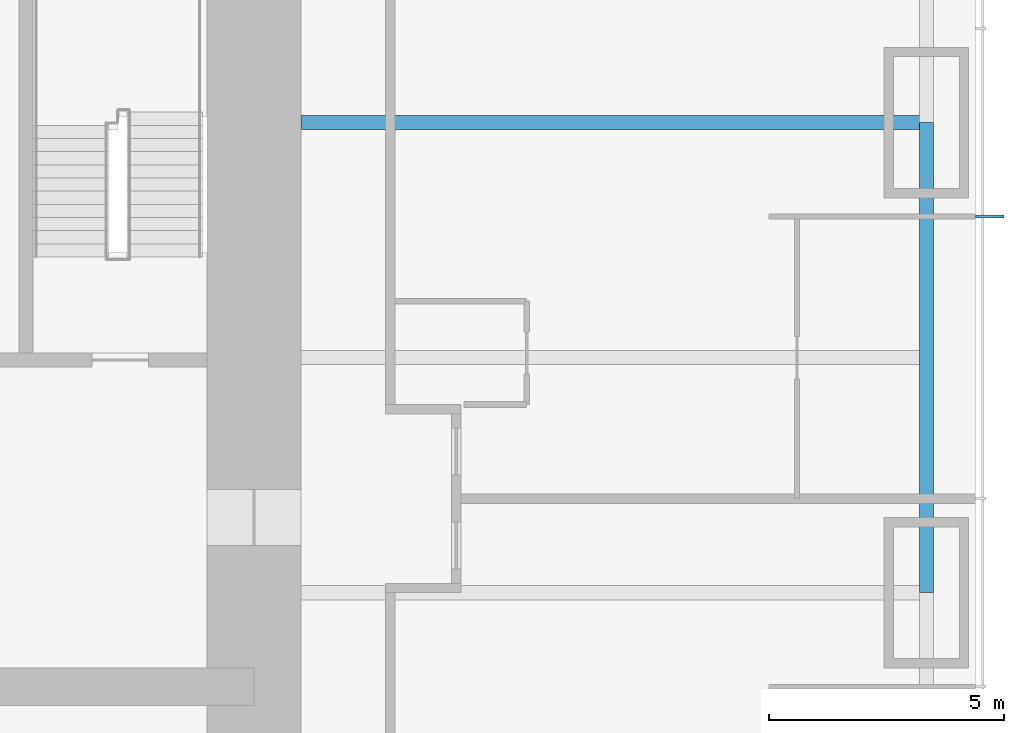
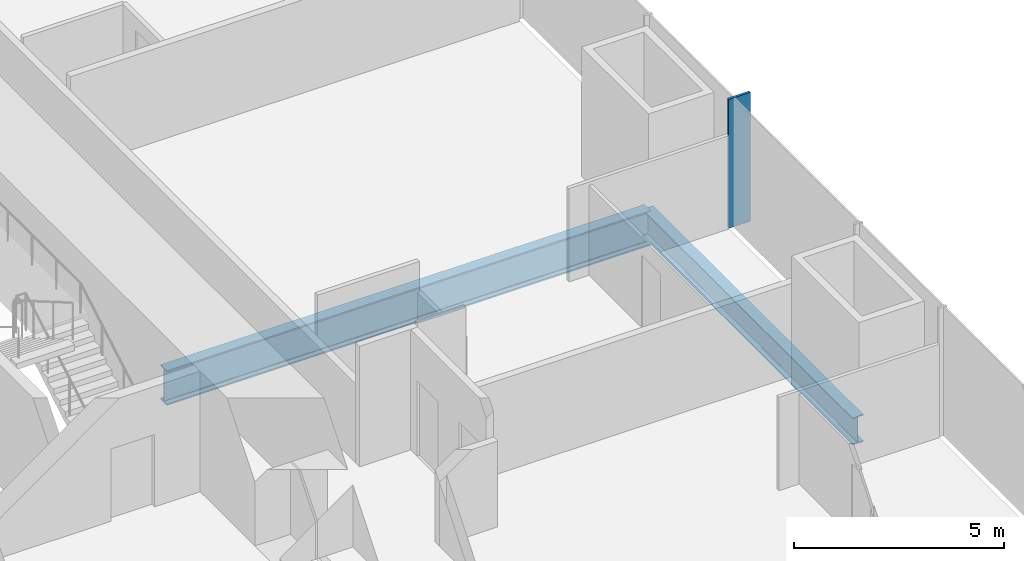
# One storey, part 5 of 17: 2 beams, 1 member, 1 element without a shape of its own.
"""IFC4 building model written with IfcOpenShell, lengths in metres."""

from ifc_helpers import new_model, si_unit, direction, frame, origin, origin_2d, place, context, subcontext, project, spatial, rectangle, i_section, extrude, material, material_profile, profile_set, type_object, element, aggregate, save


model = new_model("IFC4")

# Units and contexts
model_context = context("Model", 3, precision=1e-05, world=origin(), true_north=direction((0.0, 1.0)))
body_context = subcontext(model_context, "Body", "Model", "MODEL_VIEW")
ifc_project = project(units=[si_unit("LENGTHUNIT", "METRE"), si_unit("AREAUNIT", "SQUARE_METRE"), si_unit("VOLUMEUNIT", "CUBIC_METRE"), si_unit("PLANEANGLEUNIT", "RADIAN"), si_unit("MASSUNIT", "GRAM", prefix="KILO")], contexts=[model_context])

# Site, building, storey
site_placement = place(None, origin())
site = spatial("IfcSite", under=ifc_project, at=site_placement, CompositionType="ELEMENT")
building_placement = place(site_placement, origin())
building = spatial("IfcBuilding", under=site, at=building_placement, Name="Khuree Lantern Residences", CompositionType="ELEMENT")
storey_placement = place(building_placement, frame((0.0, 0.0, 88.5)))
storey = spatial("IfcBuildingStorey", under=building, at=storey_placement, Name="L22", CompositionType="ELEMENT", Elevation=88.5)

# Beam
ifc_material_1 = material(Name="Steel S355", Category="steel")
ifc_material_profile_1 = material_profile(ifc_material_1, i_section(OverallWidth=0.300048828125, OverallDepth=0.7900390625, WebThickness=0.014892578125, FlangeThickness=0.028076171875, FilletRadius=0.030029296875, at=origin_2d()), Name="HE 800 A")
ifc_profile_set_1 = profile_set([ifc_material_profile_1], Name="Steel S355")
beam_type_1 = type_object("IfcBeamType", Name="E-15 SPANDREL BEAM HE 800 A", PredefinedType="SPANDREL", material=ifc_profile_set_1)
beam_1_placement = place(storey_placement, frame((29.800048828125, 0.0, -0.64501953125), z_axis=(0.0, -1.0, 0.0), x_axis=(1.0, 0.0, 0.0)))
element("IfcBeam", 1, at=beam_1_placement, inside=storey, type_object=beam_type_1, Name="Spandrel beam E4", PredefinedType="SPANDREL", context=body_context, shape_type="SweptSolid", body=[
    extrude(i_section(OverallWidth=0.300048828125, OverallDepth=0.7900390625, WebThickness=0.014892578125, FlangeThickness=0.028076171875, FilletRadius=0.030029296875, at=origin_2d()), origin(), (0.0, 0.0, 1.0), 10.0),
])

# Curtain wall, member
ifc_material_2 = material(Name="Bronze anodised aluminium", Category="aluminium")
curtain_wall_type = type_object("IfcCurtainWallType", Name="CW-T1 TOWER FACE CURTAIN WALL", PredefinedType="USERDEFINED", material=ifc_material_2)
curtain_wall_placement = place(storey_placement, origin())
curtain_wall = element("IfcCurtainWall", 2, at=curtain_wall_placement, inside=storey, type_object=curtain_wall_type, Name="L22 EAST FACE CURTAIN WALL", ObjectType="Stick-built curtain wall", PredefinedType="USERDEFINED")
ifc_material_profile_2 = material_profile(ifc_material_2, rectangle(XDim=0.06494140625, YDim=0.60009765625, at=origin_2d()), Name="F1 65X600")
ifc_profile_set_2 = profile_set([ifc_material_profile_2], Name="Bronze anodised aluminium")
member_type = type_object("IfcMemberType", Name="F1 BRONZE FIN MULLION TOWER 65X600", PredefinedType="MULLION", material=ifc_profile_set_2)
member_placement = place(storey_placement, frame((31.14990234375, -2.0, 0.0), z_axis=(0.0, 0.0, 1.0), x_axis=(0.0, 1.0, 0.0)))
member = element("IfcMember", 3, at=member_placement, type_object=member_type, Name="L22 EAST FACE FIN MULLION 9", PredefinedType="MULLION", context=body_context, shape_type="SweptSolid", body=[
    extrude(rectangle(XDim=0.06494140625, YDim=0.60009765625, at=origin_2d()), origin(), (0.0, 0.0, 1.0), 3.75),
])
aggregate(curtain_wall, [member])

# Beam
ifc_material_profile_3 = material_profile(ifc_material_1, i_section(OverallWidth=0.302001953125, OverallDepth=1.008056640625, WebThickness=0.02099609375, FlangeThickness=0.0400390625, FilletRadius=0.030029296875, at=origin_2d()), Name="HE 1000 M")
ifc_profile_set_3 = profile_set([ifc_material_profile_3], Name="Steel S355")
beam_type_2 = type_object("IfcBeamType", Name="G-15 GIRDER HE 1000 M", PredefinedType="BEAM", material=ifc_profile_set_3)
beam_2_placement = place(storey_placement, frame((29.800048828125, 0.0, -0.75390625), z_axis=(-1.0, 0.0, 0.0), x_axis=(0.0, -1.0, 0.0)))
element("IfcBeam", 4, at=beam_2_placement, inside=storey, type_object=beam_type_2, Name="Girder E3", PredefinedType="BEAM", context=body_context, shape_type="SweptSolid", body=[
    extrude(i_section(OverallWidth=0.302001953125, OverallDepth=1.008056640625, WebThickness=0.02099609375, FlangeThickness=0.0400390625, FilletRadius=0.030029296875, at=origin_2d()), origin(), (0.0, 0.0, 1.0), 13.300048828125),
])

save(model, "model.ifc")
